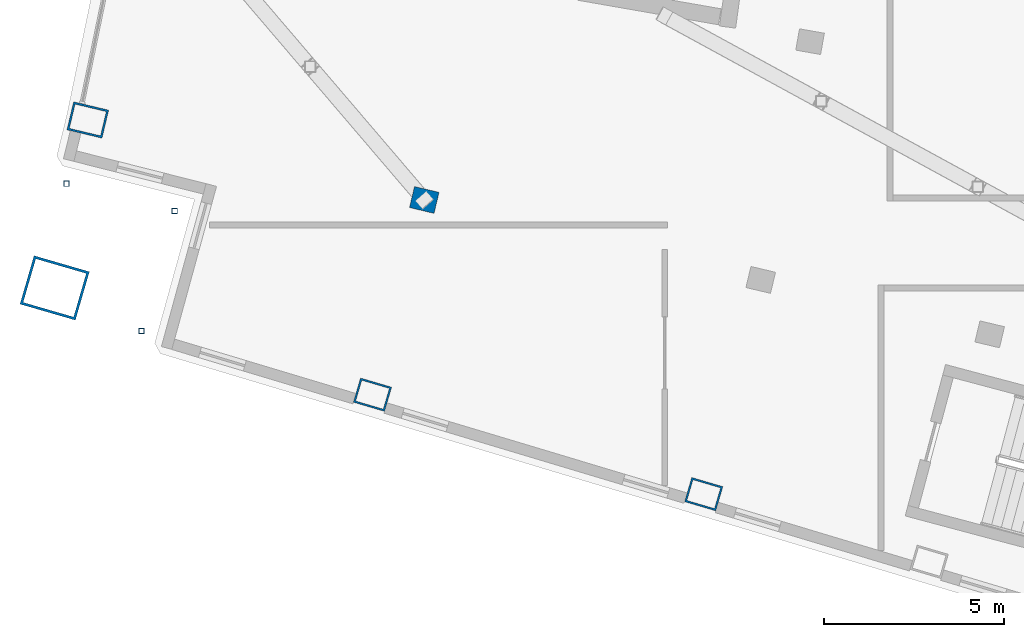
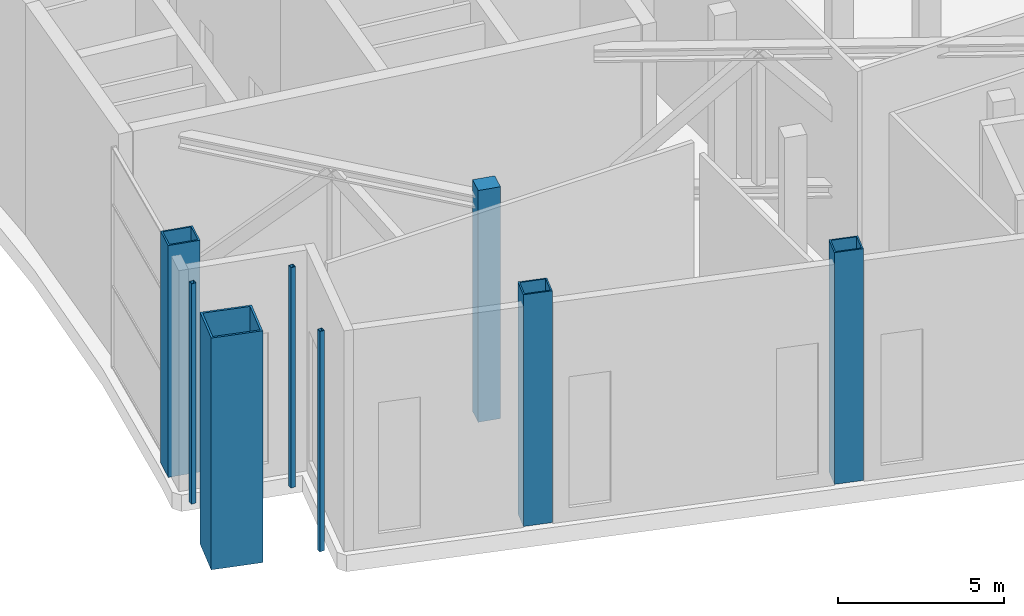
# One storey, part 1 of 25: 8 columns.
"""IFC4 building model written with IfcOpenShell, lengths in metres."""

from ifc_helpers import new_model, si_unit, direction, frame, origin, origin_2d, place, context, subcontext, project, spatial, rectangle, hollow_rectangle, extrude, material, material_profile, profile_set, type_object, element, save


model = new_model("IFC4")

# Units and contexts
model_context = context("Model", 3, precision=1e-05, world=origin(), true_north=direction((0.0, 1.0)))
body_context = subcontext(model_context, "Body", "Model", "MODEL_VIEW")
ifc_project = project(units=[si_unit("LENGTHUNIT", "METRE"), si_unit("AREAUNIT", "SQUARE_METRE"), si_unit("VOLUMEUNIT", "CUBIC_METRE"), si_unit("PLANEANGLEUNIT", "RADIAN"), si_unit("MASSUNIT", "GRAM", prefix="KILO")], contexts=[model_context])

# Site, building, storey
site_placement = place(None, origin())
site = spatial("IfcSite", under=ifc_project, at=site_placement, CompositionType="ELEMENT")
building_placement = place(site_placement, origin())
building = spatial("IfcBuilding", under=site, at=building_placement, Name="Alderwake Tower", CompositionType="ELEMENT")
storey_placement = place(building_placement, frame((0.0, 0.0, 296.0)))
storey = spatial("IfcBuildingStorey", under=building, at=storey_placement, Name="L73", CompositionType="ELEMENT", Elevation=296.0)

# Columns
ifc_material_1 = material(Name="Steel ASTM A572 Grade 50 concrete filled C70/85", Category="concrete")
ifc_material_profile_1 = material_profile(ifc_material_1, hollow_rectangle(XDim=0.699951171875, YDim=0.89990234375, WallThickness=0.050048828125, at=origin_2d()), Name="BOX 900X700X50")
ifc_profile_set_1 = profile_set([ifc_material_profile_1], Name="Steel ASTM A572 Grade 50 concrete filled C70/85")
column_type_1 = type_object("IfcColumnType", Name="End column Z5", PredefinedType="COLUMN", material=ifc_profile_set_1)
for number, where, z_axis, x_axis, name in (
    (1, (21.885498046875, 31.03759765625, 0.0), (0.0, 0.0, 1.0), (0.282132160283, 0.95937554906, 0.0), "Column R02-C1"),
    (2, (31.080322265625, 28.27685546875, 0.0), (0.0, 0.0, 1.0), (0.282582549822, 0.959242984095, 0.0), "Column R02-C2"),
):
    element("IfcColumn", number, at=place(storey_placement, frame(where, z_axis=z_axis, x_axis=x_axis)), inside=storey, type_object=column_type_1, Name=name, PredefinedType="COLUMN", context=body_context, shape_type="SweptSolid", body=[
        extrude(hollow_rectangle(XDim=0.699951171875, YDim=0.89990234375, WallThickness=0.050048828125, at=origin_2d()), origin(), (0.0, 0.0, 1.0), 8.5),
    ])
ifc_material_2 = material(Name="Concrete C70/85", Category="concrete")
ifc_material_profile_2 = material_profile(ifc_material_2, rectangle(XDim=0.60009765625, YDim=0.699951171875, at=origin_2d()), Name="RC 700X600")
ifc_profile_set_2 = profile_set([ifc_material_profile_2], Name="Concrete C70/85")
column_type_2 = type_object("IfcColumnType", Name="Interior column Z5", PredefinedType="COLUMN", material=ifc_profile_set_2)
column_1_placement = place(storey_placement, frame((23.322021484375, 36.444091796875, 0.0), z_axis=(0.0, 0.0, 1.0), x_axis=(0.231221547198, 0.972901123502, 0.0)))
element("IfcColumn", 3, at=column_1_placement, inside=storey, type_object=column_type_2, Name="Column R03-C1", PredefinedType="COLUMN", context=body_context, shape_type="SweptSolid", body=[
    extrude(rectangle(XDim=0.60009765625, YDim=0.699951171875, at=origin_2d()), origin(), (0.0, 0.0, 1.0), 8.5),
])
ifc_material_3 = material(Name="Steel ASTM A500 Grade C", Category="steel")
ifc_material_profile_3 = material_profile(ifc_material_3, hollow_rectangle(XDim=0.15234375, YDim=0.15234375, WallThickness=0.0087890625, at=origin_2d()), Name="HSS6X6X3/8")
ifc_profile_set_3 = profile_set([ifc_material_profile_3], Name="Steel ASTM A500 Grade C")
column_type_3 = type_object("IfcColumnType", Name="Light post HSS6X6X3/8", PredefinedType="COLUMN", material=ifc_profile_set_3)
for number, where, z_axis, x_axis, name in (
    (4, (13.3896484375, 36.896484375, 0.0), (0.0, 0.0, 1.0), (1.0, 0.0, 0.0), "Terrace post RS1"),
    (5, (15.47412109375, 32.805908203125, 0.0), (0.0, 0.0, 1.0), (1.0, 0.0, 0.0), "Terrace post RS2"),
    (6, (16.39501953125, 36.135986328125, 0.0), (0.0, 0.0, 1.0), (1.0, 0.0, 0.0), "Terrace post RS3"),
):
    element("IfcColumn", number, at=place(storey_placement, frame(where, z_axis=z_axis, x_axis=x_axis)), inside=storey, type_object=column_type_3, Name=name, PredefinedType="COLUMN", context=body_context, shape_type="SweptSolid", body=[
        extrude(hollow_rectangle(XDim=0.15234375, YDim=0.15234375, WallThickness=0.0087890625, at=origin_2d()), origin(), (0.0, 0.0, 1.0), 8.080078125),
    ])
ifc_material_4 = material(Name="Steel ASTM A572 Grade 50 concrete filled C70/85", Category="concrete")
ifc_material_profile_4 = material_profile(ifc_material_4, hollow_rectangle(XDim=1.39990234375, YDim=1.60009765625, WallThickness=0.070068359375, at=origin_2d()), Name="BOX 1600X1400X70")
ifc_profile_set_4 = profile_set([ifc_material_profile_4], Name="Steel ASTM A572 Grade 50 concrete filled C70/85")
column_type_4 = type_object("IfcColumnType", Name="Mega column Z5", PredefinedType="COLUMN", material=ifc_profile_set_4)
column_2_placement = place(storey_placement, frame((13.06298828125, 34.00244140625, 0.0), z_axis=(0.0, 0.0, 1.0), x_axis=(0.278612301868, 0.960403657452, 0.0)))
element("IfcColumn", 7, at=column_2_placement, inside=storey, type_object=column_type_4, Name="Column R02-C0", PredefinedType="COLUMN", context=body_context, shape_type="SweptSolid", body=[
    extrude(hollow_rectangle(XDim=1.39990234375, YDim=1.60009765625, WallThickness=0.070068359375, at=origin_2d()), origin(), (0.0, 0.0, 1.0), 8.5),
])
ifc_material_5 = material(Name="Steel ASTM A572 Grade 50 concrete filled C70/85", Category="concrete")
ifc_material_profile_5 = material_profile(ifc_material_5, hollow_rectangle(XDim=0.800048828125, YDim=1.0, WallThickness=0.054931640625, at=origin_2d()), Name="BOX 1000X800X55")
ifc_profile_set_5 = profile_set([ifc_material_profile_5], Name="Steel ASTM A572 Grade 50 concrete filled C70/85")
column_type_5 = type_object("IfcColumnType", Name="Perimeter column Z5", PredefinedType="COLUMN", material=ifc_profile_set_5)
column_3_placement = place(storey_placement, frame((13.982177734375, 38.6640625, 0.0), z_axis=(0.0, 0.0, 1.0), x_axis=(0.231221547198, 0.972901123502, 0.0)))
element("IfcColumn", 8, at=column_3_placement, inside=storey, type_object=column_type_5, Name="Column R03-C0", PredefinedType="COLUMN", context=body_context, shape_type="SweptSolid", body=[
    extrude(hollow_rectangle(XDim=0.800048828125, YDim=1.0, WallThickness=0.054931640625, at=origin_2d()), origin(), (0.0, 0.0, 1.0), 8.5),
])

save(model, "model.ifc")
